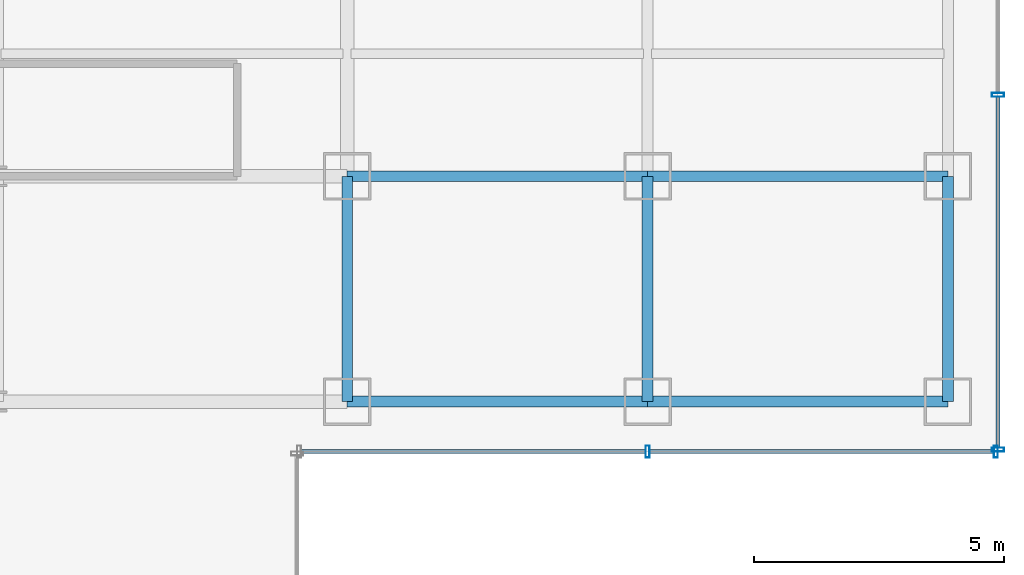
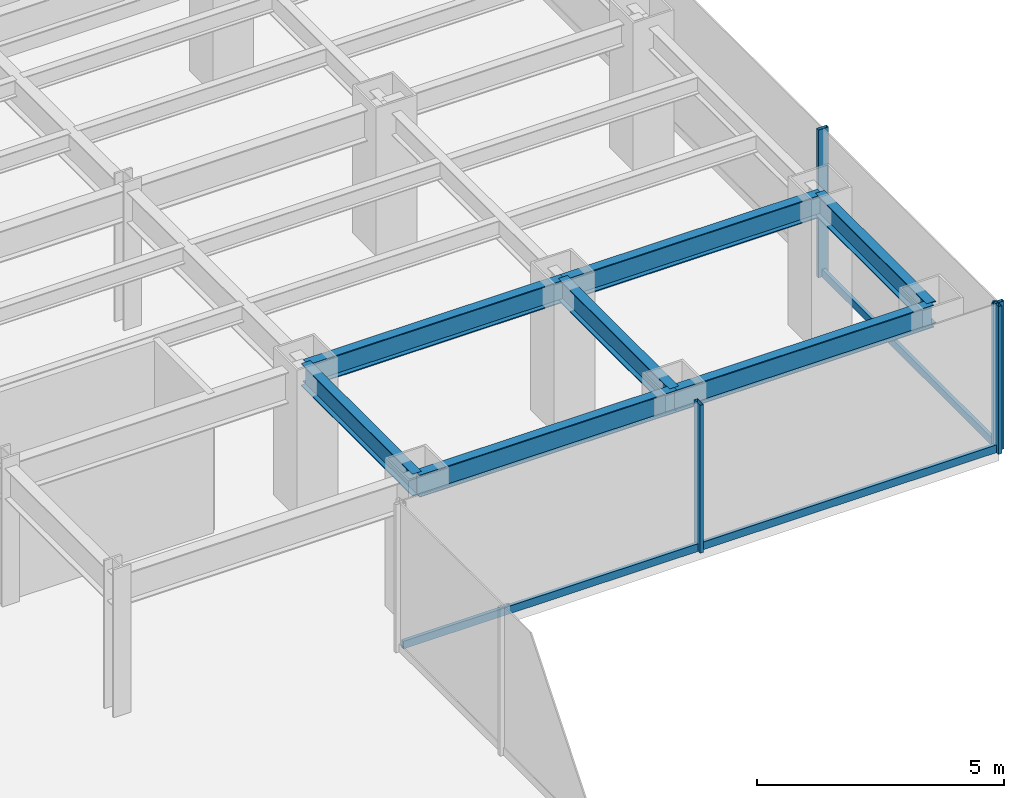
# One storey, part 7 of 22: 7 beams, 7 members, 2 elements without a shape of their own.
"""IFC4 building model written with IfcOpenShell, lengths in metres."""

from ifc_helpers import new_model, si_unit, derived_unit, direction, frame, origin, origin_2d, place, context, subcontext, project, spatial, hollow_rectangle, i_section, extrude, source, transform, mapped, material, material_profile, profile_set, type_object, element, aggregate, save


model = new_model("IFC4")

# Units and contexts
model_context = context("Model", 3, precision=1e-05, world=origin(), true_north=direction((0.0, 1.0)))
body_context = subcontext(model_context, "Body", "Model", "MODEL_VIEW")
ifc_project = project(units=[si_unit("LENGTHUNIT", "METRE"), si_unit("AREAUNIT", "SQUARE_METRE"), si_unit("VOLUMEUNIT", "CUBIC_METRE"), si_unit("PLANEANGLEUNIT", "RADIAN"), si_unit("MASSUNIT", "GRAM", prefix="KILO"), derived_unit("THERMALTRANSMITTANCEUNIT", [(si_unit("POWERUNIT", "WATT"), 1), (si_unit("LENGTHUNIT", "METRE"), -2), (si_unit("THERMODYNAMICTEMPERATUREUNIT", "KELVIN"), -1)])], contexts=[model_context])

# Site, building, storey
site_placement = place(None, origin())
site = spatial("IfcSite", under=ifc_project, at=site_placement, CompositionType="ELEMENT")
building_placement = place(site_placement, origin())
building = spatial("IfcBuilding", under=site, at=building_placement, Name="Skarnbrae Concourse Arena and Tower", CompositionType="ELEMENT")
storey_placement = place(building_placement, frame((0.0, 0.0, 65.35009765625)))
storey = spatial("IfcBuildingStorey", under=building, at=storey_placement, Name="L15", CompositionType="ELEMENT", Elevation=65.35009765625)

# Beams
ifc_material_1 = material(Name="Steel CSA G40.21 350W", Category="steel")
ifc_material_profile_1 = material_profile(ifc_material_1, i_section(OverallWidth=0.214111328125, OverallDepth=0.549072265625, WebThickness=0.0146484375, FlangeThickness=0.023681640625, at=origin_2d()), Name="W530X138")
ifc_profile_set_1 = profile_set([ifc_material_profile_1], Name="Steel CSA G40.21 350W")
beam_type = type_object("IfcBeamType", Name="BM-SPAN-W530X138", PredefinedType="SPANDREL", material=ifc_profile_set_1)
shared_shape_1 = source(origin(), body_context, "Body", "SweptSolid", [
    extrude(i_section(OverallWidth=0.214111328125, OverallDepth=0.549072265625, WebThickness=0.0146484375, FlangeThickness=0.023681640625, at=origin_2d()), origin(), (0.0, 0.0, 1.0), 6.0),
])
for number, where, z_axis, x_axis, name in (
    (1, (49.0, 9.5, 3.12548828125), (1.0, 0.0, 0.0), (0.0, 1.0, 0.0), "L15 Perimeter spandrel Y9.5-3"),
    (2, (55.0, 9.5, 3.12548828125), (1.0, 0.0, 0.0), (0.0, 1.0, 0.0), "L15 Perimeter spandrel Y9.5-4"),
    (3, (49.0, 14.0, 3.12548828125), (1.0, 0.0, 0.0), (0.0, 1.0, 0.0), "L15 Perimeter spandrel Y14.0-8"),
    (4, (55.0, 14.0, 3.12548828125), (1.0, 0.0, 0.0), (0.0, 1.0, 0.0), "L15 Perimeter spandrel Y14.0-9"),
):
    element("IfcBeam", number, at=place(storey_placement, frame(where, z_axis=z_axis, x_axis=x_axis)), inside=storey, type_object=beam_type, Name=name, PredefinedType="SPANDREL", context=body_context, shape_type="MappedRepresentation", body=[
        mapped(shared_shape_1, transform((0.0, 0.0, 0.0))),
    ])
shared_shape_2 = source(origin(), body_context, "Body", "SweptSolid", [
    extrude(i_section(OverallWidth=0.214111328125, OverallDepth=0.549072265625, WebThickness=0.0146484375, FlangeThickness=0.023681640625, at=origin_2d()), origin(), (0.0, 0.0, 1.0), 4.5),
])
for number, where, z_axis, x_axis, name in (
    (5, (49.0, 9.5, 3.12548828125), (0.0, 1.0, 0.0), (-1.0, 0.0, 0.0), "L15 Perimeter spandrel X49.0-1"),
    (6, (55.0, 9.5, 3.12548828125), (0.0, 1.0, 0.0), (-1.0, 0.0, 0.0), "L15 Perimeter spandrel X55.0-1"),
    (7, (61.0, 9.5, 3.12548828125), (0.0, 1.0, 0.0), (-1.0, 0.0, 0.0), "L15 Perimeter spandrel X61.0-1"),
):
    element("IfcBeam", number, at=place(storey_placement, frame(where, z_axis=z_axis, x_axis=x_axis)), inside=storey, type_object=beam_type, Name=name, PredefinedType="SPANDREL", context=body_context, shape_type="MappedRepresentation", body=[
        mapped(shared_shape_2, transform((0.0, 0.0, 0.0))),
    ])

# Curtain wall, members
ifc_material_2 = material(Name="Bronze anodised aluminium 6063-T6", Category="aluminium")
curtain_wall_type = type_object("IfcCurtainWallType", Name="CW-SYS-02-LOWZONE", PredefinedType="USERDEFINED", material=ifc_material_2)
curtain_wall_1_placement = place(storey_placement, origin())
curtain_wall_1 = element("IfcCurtainWall", 8, at=curtain_wall_1_placement, inside=storey, type_object=curtain_wall_type, Name="L15 Unitised curtain wall CW-L15-E03", ObjectType="UNITISED CURTAIN WALL", PredefinedType="USERDEFINED")
ifc_material_profile_2 = material_profile(ifc_material_2, hollow_rectangle(XDim=0.080078125, YDim=0.239990234375, WallThickness=0.0048828125, at=origin_2d()), Name="ALU-MULL-80X240")
ifc_profile_set_2 = profile_set([ifc_material_profile_2], Name="Bronze anodised aluminium 6063-T6")
member_type_1 = type_object("IfcMemberType", Name="CWM-CW-02", PredefinedType="MULLION", material=ifc_profile_set_2)
shared_shape_3 = source(origin(), body_context, "Body", "SweptSolid", [
    extrude(hollow_rectangle(XDim=0.080078125, YDim=0.239990234375, WallThickness=0.0048828125, at=origin_2d()), origin(), (0.0, 0.0, 1.0), 3.64990234375),
])
member_1_placement = place(storey_placement, frame((55.0, 8.5, 0.0), z_axis=(0.0, 0.0, 1.0), x_axis=(1.0, 0.0, 0.0)))
member_1 = element("IfcMember", 9, at=member_1_placement, type_object=member_type_1, Name="CW-L15-E03 Mullion 2", PredefinedType="MULLION", context=body_context, shape_type="MappedRepresentation", body=[
    mapped(shared_shape_3, transform((0.0, 0.0, 0.0))),
])
member_2_placement = place(storey_placement, frame((61.9599609375, 8.5, 0.0), z_axis=(0.0, 0.0, 1.0), x_axis=(1.0, 0.0, 0.0)))
member_2 = element("IfcMember", 10, at=member_2_placement, type_object=member_type_1, Name="CW-L15-E03 Mullion 3", PredefinedType="MULLION", context=body_context, shape_type="MappedRepresentation", body=[
    mapped(shared_shape_3, transform((0.0, 0.0, 0.0))),
])

curtain_wall_2_placement = place(storey_placement, origin())
curtain_wall_2 = element("IfcCurtainWall", 11, at=curtain_wall_2_placement, inside=storey, type_object=curtain_wall_type, Name="L15 Unitised curtain wall CW-L15-E04", ObjectType="UNITISED CURTAIN WALL", PredefinedType="USERDEFINED")
member_3_placement = place(storey_placement, frame((62.0, 8.5400390625, 0.0), z_axis=(0.0, 0.0, 1.0), x_axis=(0.0, 1.0, 0.0)))
member_3 = element("IfcMember", 12, at=member_3_placement, type_object=member_type_1, Name="CW-L15-E04 Mullion 1", PredefinedType="MULLION", context=body_context, shape_type="MappedRepresentation", body=[
    mapped(shared_shape_3, transform((0.0, 0.0, 0.0))),
])
member_4_placement = place(storey_placement, frame((62.0, 15.625, 0.0), z_axis=(0.0, 0.0, 1.0), x_axis=(0.0, 1.0, 0.0)))
member_4 = element("IfcMember", 13, at=member_4_placement, type_object=member_type_1, Name="CW-L15-E04 Mullion 2", PredefinedType="MULLION", context=body_context, shape_type="MappedRepresentation", body=[
    mapped(shared_shape_3, transform((0.0, 0.0, 0.0))),
])

# Member
ifc_material_profile_3 = material_profile(ifc_material_2, hollow_rectangle(XDim=0.080078125, YDim=0.18994140625, WallThickness=0.0048828125, at=origin_2d()), Name="ALU-TRAN-80X190")
ifc_profile_set_3 = profile_set([ifc_material_profile_3], Name="Bronze anodised aluminium 6063-T6")
member_type_2 = type_object("IfcMemberType", Name="CWT-CW-02", PredefinedType="USERDEFINED", material=ifc_profile_set_3)
shared_shape_4 = source(origin(), body_context, "Body", "SweptSolid", [
    extrude(hollow_rectangle(XDim=0.080078125, YDim=0.18994140625, WallThickness=0.0048828125, at=origin_2d()), origin(), (0.0, 0.0, 1.0), 6.8798828125),
])
member_5_placement = place(storey_placement, frame((48.080078125, 8.5, 0.094970703125), z_axis=(1.0, 0.0, 0.0), x_axis=(0.0, 1.0, 0.0)))
member_5 = element("IfcMember", 14, at=member_5_placement, type_object=member_type_2, Name="CW-L15-E03 Transom 1", ObjectType="TRANSOM", PredefinedType="USERDEFINED", context=body_context, shape_type="MappedRepresentation", body=[
    mapped(shared_shape_4, transform((0.0, 0.0, 0.0))),
])

member_6_placement = place(storey_placement, frame((55.0400390625, 8.5, 0.094970703125), z_axis=(1.0, 0.0, 0.0), x_axis=(0.0, 1.0, 0.0)))
member_6 = element("IfcMember", 15, at=member_6_placement, type_object=member_type_2, Name="CW-L15-E03 Transom 2", ObjectType="TRANSOM", PredefinedType="USERDEFINED", context=body_context, shape_type="MappedRepresentation", body=[
    mapped(shared_shape_4, transform((0.0, 0.0, 0.0))),
])

aggregate(curtain_wall_1, [member_1, member_2, member_5, member_6])

shared_shape_5 = source(origin(), body_context, "Body", "SweptSolid", [
    extrude(hollow_rectangle(XDim=0.080078125, YDim=0.18994140625, WallThickness=0.0048828125, at=origin_2d()), origin(), (0.0, 0.0, 1.0), 7.0048828125),
])
member_7_placement = place(storey_placement, frame((62.0, 8.580078125, 0.094970703125), z_axis=(0.0, 1.0, 0.0), x_axis=(-1.0, 0.0, 0.0)))
member_7 = element("IfcMember", 16, at=member_7_placement, type_object=member_type_2, Name="CW-L15-E04 Transom 1", ObjectType="TRANSOM", PredefinedType="USERDEFINED", context=body_context, shape_type="MappedRepresentation", body=[
    mapped(shared_shape_5, transform((0.0, 0.0, 0.0))),
])

aggregate(curtain_wall_2, [member_3, member_4, member_7])

save(model, "model.ifc")
